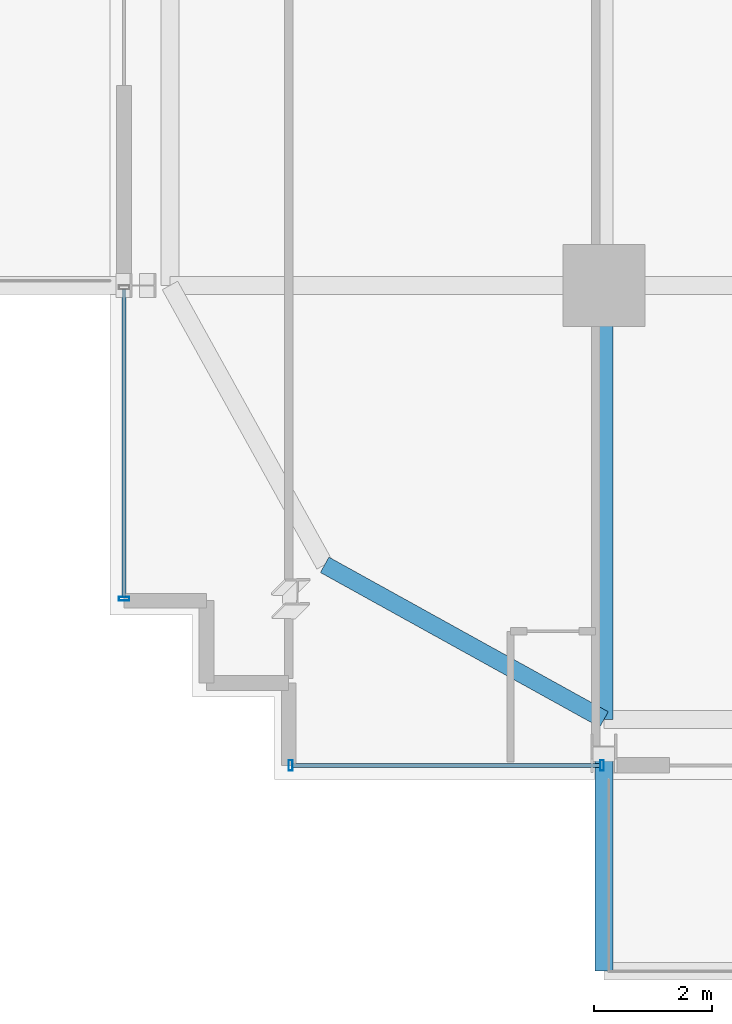
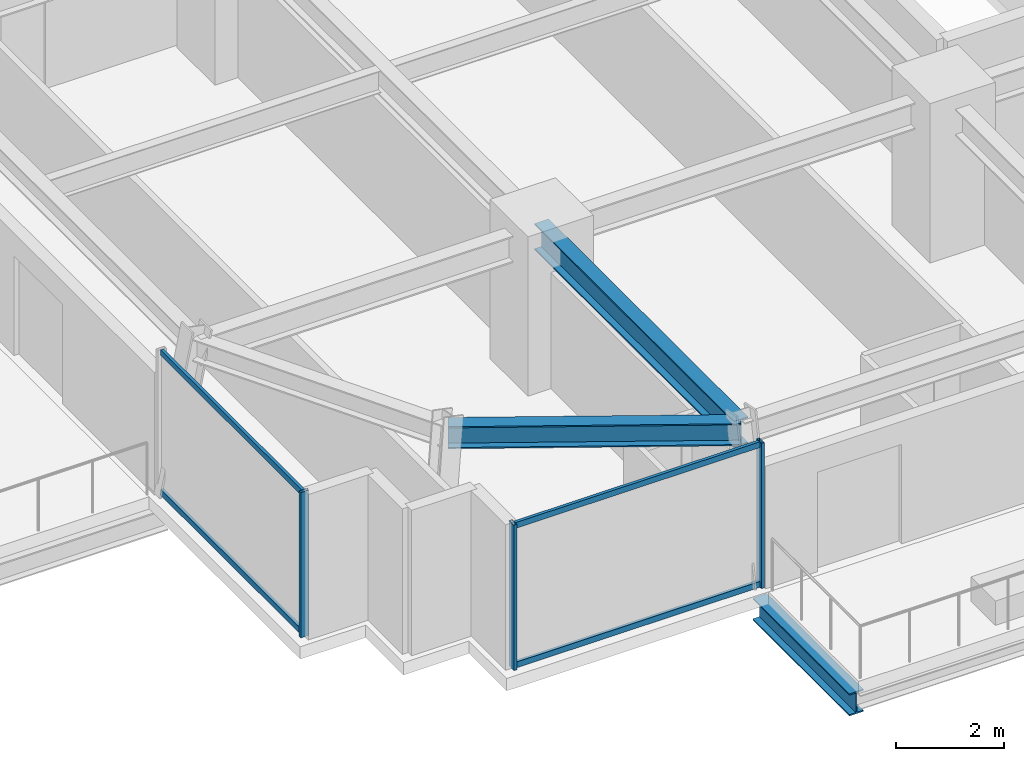
# One storey, part 2 of 35: 7 members, 3 beams, 2 elements without a shape of their own.
"""IFC4 building model written with IfcOpenShell, lengths in metres."""

from ifc_helpers import new_model, si_unit, direction, frame, origin, origin_2d, place, context, subcontext, project, spatial, hollow_rectangle, i_section, extrude, source, transform, mapped, material, material_profile, profile_set, type_object, element, aggregate, save


model = new_model("IFC4")

# Units and contexts
model_context = context("Model", 3, precision=1e-05, world=origin(), true_north=direction((0.0, 1.0)))
body_context = subcontext(model_context, "Body", "Model", "MODEL_VIEW")
ifc_project = project(units=[si_unit("LENGTHUNIT", "METRE"), si_unit("AREAUNIT", "SQUARE_METRE"), si_unit("VOLUMEUNIT", "CUBIC_METRE"), si_unit("PLANEANGLEUNIT", "RADIAN"), si_unit("MASSUNIT", "GRAM", prefix="KILO")], contexts=[model_context])

# Site, building, storey
site_placement = place(None, origin())
site = spatial("IfcSite", under=ifc_project, at=site_placement, CompositionType="ELEMENT")
building_placement = place(site_placement, origin())
building = spatial("IfcBuilding", under=site, at=building_placement, Name="Nahalor Promenade Grand Hotel", CompositionType="ELEMENT")
storey_placement = place(building_placement, frame((0.0, 0.0, 79.85009765625)))
storey = spatial("IfcBuildingStorey", under=building, at=storey_placement, Name="L19", CompositionType="ELEMENT", Elevation=79.85009765625)

# Beams
ifc_material_1 = material(Name="Steel S355JR", Category="steel")
ifc_material_profile_1 = material_profile(ifc_material_1, i_section(OverallWidth=0.3, OverallDepth=0.5, WebThickness=0.0145, FlangeThickness=0.028, at=origin_2d()), Name="HEB 500")
ifc_profile_set_1 = profile_set([ifc_material_profile_1], Name="Steel S355JR")
beam_type_1 = type_object("IfcBeamType", Name="Beam-Outrigger-HEB500", PredefinedType="BEAM", material=ifc_profile_set_1)
shared_shape_1 = source(origin(), body_context, "Body", "SweptSolid", [
    extrude(i_section(OverallWidth=0.3, OverallDepth=0.5, WebThickness=0.0145, FlangeThickness=0.028, at=origin_2d()), origin(), (0.0, 0.0, 1.0), 3.579833984375),
])
beam_1_placement = place(storey_placement, frame((-17.0, -28.659912109375, -0.530029296875), z_axis=(0.0, 1.0, 0.0), x_axis=(-1.0, 0.0, 0.0)))
element("IfcBeam", 1, at=beam_1_placement, inside=storey, type_object=beam_type_1, Name="BM-L19-BC-01-1", PredefinedType="BEAM", context=body_context, shape_type="MappedRepresentation", body=[
    mapped(shared_shape_1, transform((0.0, 0.0, 0.0), scale=1.0)),
])
ifc_material_profile_2 = material_profile(ifc_material_1, i_section(OverallWidth=0.3, OverallDepth=0.6, WebThickness=0.0155, FlangeThickness=0.03, at=origin_2d()), Name="HEB 600")
ifc_profile_set_2 = profile_set([ifc_material_profile_2], Name="Steel S355JR")
beam_type_2 = type_object("IfcBeamType", Name="Beam-Girder-HEB600", PredefinedType="BEAM", material=ifc_profile_set_2)
shared_shape_2 = source(origin(), body_context, "Body", "SweptSolid", [
    extrude(i_section(OverallWidth=0.3, OverallDepth=0.6, WebThickness=0.0155, FlangeThickness=0.03, at=origin_2d()), origin(), (0.0, 0.0, 1.0), 7.3798828125),
])
beam_2_placement = place(storey_placement, frame((-17.0, -24.3798828125, 2.989990234375), z_axis=(0.0, 1.0, 0.0), x_axis=(-1.0, 0.0, 0.0)))
element("IfcBeam", 2, at=beam_2_placement, inside=storey, type_object=beam_type_2, Name="BM-L19-GY-0-0", PredefinedType="BEAM", context=body_context, shape_type="MappedRepresentation", body=[
    mapped(shared_shape_2, transform((0.0, 0.0, 0.0), scale=1.0)),
])
ifc_material_profile_3 = material_profile(ifc_material_1, i_section(OverallWidth=0.3, OverallDepth=0.5, WebThickness=0.0145, FlangeThickness=0.028, at=origin_2d()), Name="HEB 500")
ifc_profile_set_3 = profile_set([ifc_material_profile_3], Name="Steel S355JR")
beam_type_3 = type_object("IfcBeamType", Name="Beam-Spandrel-HEB500", PredefinedType="SPANDREL", material=ifc_profile_set_3)
shared_shape_3 = source(origin(), body_context, "Body", "SweptSolid", [
    extrude(i_section(OverallWidth=0.3, OverallDepth=0.5, WebThickness=0.0145, FlangeThickness=0.028, at=origin_2d()), origin(), (0.0, 0.0, 1.0), 5.429443359375),
])
beam_3_placement = place(storey_placement, frame((-17.0, -24.3798828125, 3.039794921875), z_axis=(-0.874860543329, 0.484374885523, 0.0), x_axis=(-0.484374885523, -0.874860543329, 0.0)))
element("IfcBeam", 3, at=beam_3_placement, inside=storey, type_object=beam_type_3, Name="BM-L19-SPC-SW-1", PredefinedType="SPANDREL", context=body_context, shape_type="MappedRepresentation", body=[
    mapped(shared_shape_3, transform((0.0, 0.0, 0.0), scale=1.0)),
])

# Curtain wall, members
ifc_material_2 = material(Name="Anodised Bronze Aluminium EN AW-6063 T6", Category="aluminium")
curtain_wall_type = type_object("IfcCurtainWallType", Name="CW2 Typical Hotel Flush Bronze Unitised Curtain Wall", PredefinedType="USERDEFINED", material=ifc_material_2)
curtain_wall_1_placement = place(storey_placement, origin())
curtain_wall_1 = element("IfcCurtainWall", 4, at=curtain_wall_1_placement, inside=storey, type_object=curtain_wall_type, Name="L19 Curtain Wall CW-L19-S-1", ObjectType="UNITISED_CURTAIN_WALL", PredefinedType="USERDEFINED")
ifc_material_profile_4 = material_profile(ifc_material_2, hollow_rectangle(XDim=0.065, YDim=0.13, WallThickness=0.004, at=origin_2d()), Name="CWT 65x130x4")
ifc_profile_set_4 = profile_set([ifc_material_profile_4], Name="Anodised Bronze Aluminium EN AW-6063 T6")
member_type_1 = type_object("IfcMemberType", Name="CWT2 Typical Bronze Transom 65x130", PredefinedType="USERDEFINED", material=ifc_profile_set_4)
shared_shape_4 = source(origin(), body_context, "Body", "SweptSolid", [
    extrude(hollow_rectangle(XDim=0.065, YDim=0.13, WallThickness=0.004, at=origin_2d()), origin(), (0.0, 0.0, 1.0), 5.22998046875),
])
member_1_placement = place(storey_placement, frame((-22.294921875, -25.159912109375, 0.06494140625), z_axis=(1.0, 0.0, 0.0), x_axis=(0.0, 1.0, 0.0)))
member_1 = element("IfcMember", 5, at=member_1_placement, type_object=member_type_1, Name="CW-L19-S-1 Transom 0-0", ObjectType="TRANSOM", PredefinedType="USERDEFINED", context=body_context, shape_type="MappedRepresentation", body=[
    mapped(shared_shape_4, transform((0.0, 0.0, 0.0), scale=1.0)),
])
member_2_placement = place(storey_placement, frame((-22.294921875, -25.159912109375, 3.224853515625), z_axis=(1.0, 0.0, 0.0), x_axis=(0.0, 1.0, 0.0)))
member_2 = element("IfcMember", 6, at=member_2_placement, type_object=member_type_1, Name="CW-L19-S-1 Transom 0-1", ObjectType="TRANSOM", PredefinedType="USERDEFINED", context=body_context, shape_type="MappedRepresentation", body=[
    mapped(shared_shape_4, transform((0.0, 0.0, 0.0), scale=1.0)),
])

curtain_wall_2_placement = place(storey_placement, origin())
curtain_wall_2 = element("IfcCurtainWall", 7, at=curtain_wall_2_placement, inside=storey, type_object=curtain_wall_type, Name="L19 Curtain Wall CW-L19-W-1", ObjectType="UNITISED_CURTAIN_WALL", PredefinedType="USERDEFINED")
member_3_placement = place(storey_placement, frame((-25.159912109375, -22.294921875, 0.06494140625), z_axis=(0.0, 1.0, 0.0), x_axis=(-1.0, 0.0, 0.0)))
member_3 = element("IfcMember", 8, at=member_3_placement, type_object=member_type_1, Name="CW-L19-W-1 Transom 0-0", ObjectType="TRANSOM", PredefinedType="USERDEFINED", context=body_context, shape_type="MappedRepresentation", body=[
    mapped(shared_shape_4, transform((0.0, 0.0, 0.0), scale=1.0)),
])
member_4_placement = place(storey_placement, frame((-25.159912109375, -22.294921875, 3.224853515625), z_axis=(0.0, 1.0, 0.0), x_axis=(-1.0, 0.0, 0.0)))
member_4 = element("IfcMember", 9, at=member_4_placement, type_object=member_type_1, Name="CW-L19-W-1 Transom 0-1", ObjectType="TRANSOM", PredefinedType="USERDEFINED", context=body_context, shape_type="MappedRepresentation", body=[
    mapped(shared_shape_4, transform((0.0, 0.0, 0.0), scale=1.0)),
])

# Member
ifc_material_profile_5 = material_profile(ifc_material_2, hollow_rectangle(XDim=0.065, YDim=0.18, WallThickness=0.004, at=origin_2d()), Name="CWM 65x180x4")
ifc_profile_set_5 = profile_set([ifc_material_profile_5], Name="Anodised Bronze Aluminium EN AW-6063 T6")
member_type_2 = type_object("IfcMemberType", Name="CWM2 Typical Bronze Mullion 65x180", PredefinedType="MULLION", material=ifc_profile_set_5)
shared_shape_5 = source(origin(), body_context, "Body", "SweptSolid", [
    extrude(hollow_rectangle(XDim=0.065, YDim=0.18, WallThickness=0.004, at=origin_2d()), origin(), (0.0, 0.0, 1.0), 3.289794921875),
])
member_5_placement = place(storey_placement, frame((-22.327392578125, -25.159912109375, 0.0), z_axis=(0.0, 0.0, 1.0), x_axis=(1.0, 0.0, 0.0)))
member_5 = element("IfcMember", 10, at=member_5_placement, type_object=member_type_2, Name="CW-L19-S-1 Mullion 0", PredefinedType="MULLION", context=body_context, shape_type="MappedRepresentation", body=[
    mapped(shared_shape_5, transform((0.0, 0.0, 0.0), scale=1.0)),
])

member_6_placement = place(storey_placement, frame((-17.032470703125, -25.159912109375, 0.0), z_axis=(0.0, 0.0, 1.0), x_axis=(1.0, 0.0, 0.0)))
member_6 = element("IfcMember", 11, at=member_6_placement, type_object=member_type_2, Name="CW-L19-S-1 Mullion 1", PredefinedType="MULLION", context=body_context, shape_type="MappedRepresentation", body=[
    mapped(shared_shape_5, transform((0.0, 0.0, 0.0), scale=1.0)),
])

aggregate(curtain_wall_1, [member_5, member_6, member_1, member_2])

member_7_placement = place(storey_placement, frame((-25.159912109375, -22.327392578125, 0.0), z_axis=(0.0, 0.0, 1.0), x_axis=(0.0, 1.0, 0.0)))
member_7 = element("IfcMember", 12, at=member_7_placement, type_object=member_type_2, Name="CW-L19-W-1 Mullion 0", PredefinedType="MULLION", context=body_context, shape_type="MappedRepresentation", body=[
    mapped(shared_shape_5, transform((0.0, 0.0, 0.0), scale=1.0)),
])

aggregate(curtain_wall_2, [member_7, member_3, member_4])

save(model, "model.ifc")
